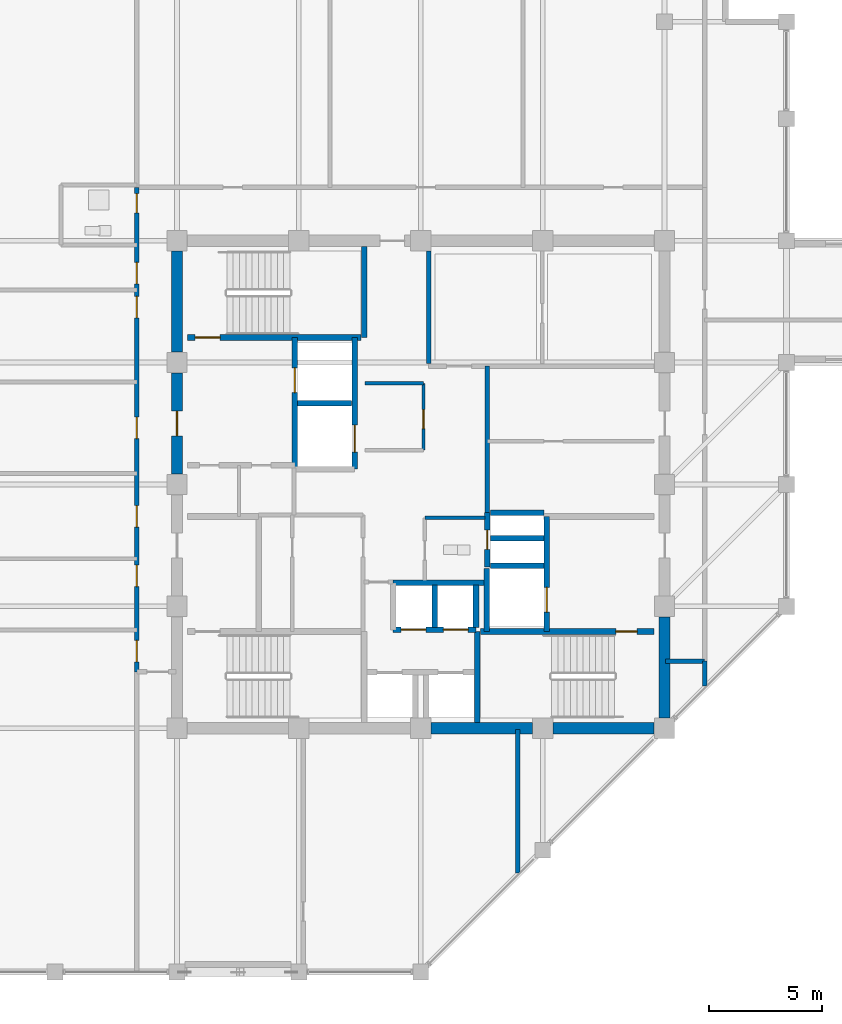
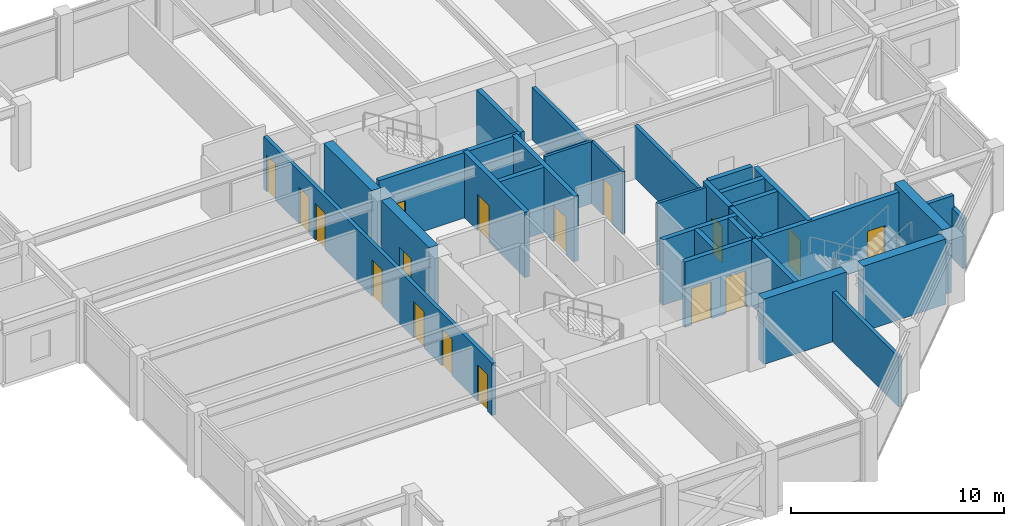
# One storey, part 26 of 31: 31 walls, 17 doors, 17 openings.
"""IFC4 building model written with IfcOpenShell, lengths in metres."""

from ifc_helpers import new_model, si_unit, direction, frame, frame_2d, origin, place, context, subcontext, project, spatial, rectangle, extrude, material, layer, layer_set, type_object, element, fill, save


model = new_model("IFC4")

# Units and contexts
model_context = context("Model", 3, precision=1e-05, world=origin(), true_north=direction((0.0, 1.0)))
body_context = subcontext(model_context, "Body", "Model", "MODEL_VIEW")
ifc_project = project(units=[si_unit("LENGTHUNIT", "METRE"), si_unit("AREAUNIT", "SQUARE_METRE"), si_unit("VOLUMEUNIT", "CUBIC_METRE"), si_unit("PLANEANGLEUNIT", "RADIAN"), si_unit("MASSUNIT", "GRAM", prefix="KILO")], contexts=[model_context])

# Site, building, storey
site_placement = place(None, origin())
site = spatial("IfcSite", under=ifc_project, at=site_placement, CompositionType="ELEMENT")
building_placement = place(site_placement, origin())
building = spatial("IfcBuilding", under=site, at=building_placement, Name="Surkhivell Harbour Commons", CompositionType="ELEMENT")
storey_placement = place(building_placement, frame((0.0, 0.0, 266.25)))
storey = spatial("IfcBuildingStorey", under=building, at=storey_placement, Name="L69", CompositionType="ELEMENT", Elevation=266.25)

# Walls
ifc_material_1 = material(Name="Concrete C50/60", Category="concrete")
ifc_layer_1 = layer(ifc_material_1, 0.5)
ifc_layer_set_1 = layer_set([ifc_layer_1], Name="Concrete C50/60")
wall_type_1 = type_object("IfcWallType", Name="WAL-CORE-500", PredefinedType="SHEAR", material=ifc_layer_set_1)
for number, where, z_axis, x_axis, name in (
    (1, (10.800048828125, -10.340087890625, 0.0), (0.0, 0.0, 1.0), (0.0, 1.0, 0.0), "L69 Core Shear Wall East 1"),
    (2, (0.4599609375, -10.800048828125, 0.0), (0.0, 0.0, 1.0), (1.0, 0.0, 0.0), "L69 Core Shear Wall South 3"),
):
    element("IfcWall", number, at=place(storey_placement, frame(where, z_axis=z_axis, x_axis=x_axis)), inside=storey, type_object=wall_type_1, Name=name, PredefinedType="SHEAR", context=body_context, shape_type="SweptSolid", body=[
        extrude(rectangle(XDim=4.47998046875, YDim=0.5, at=frame_2d((2.239990234375, 0.0))), origin(), (0.0, 0.0, 1.0), 3.75),
    ])

# Wall, opening, door
wall_1_placement = place(storey_placement, frame((-10.800048828125, 0.4599609375, 0.0), z_axis=(0.0, 0.0, 1.0), x_axis=(0.0, 1.0, 0.0)))
wall_1 = element("IfcWall", 3, at=wall_1_placement, inside=storey, type_object=wall_type_1, Name="L69 Core Shear Wall West 3", PredefinedType="SHEAR", context=body_context, shape_type="SweptSolid", body=[
    extrude(rectangle(XDim=4.47998046875, YDim=0.5, at=frame_2d((2.239990234375, 0.0))), origin(), (0.0, 0.0, 1.0), 3.75),
])
opening_1_placement = place(wall_1_placement, frame((1.68994140625, 0.0, 0.0)))
opening_1 = element("IfcOpeningElement", 4, at=opening_1_placement, cuts=wall_1, Name="Opening ID-1", PredefinedType="OPENING", context=body_context, shape_type="SweptSolid", body=[
    extrude(rectangle(XDim=1.10009765625, YDim=2.10009765625, at=frame_2d((0.550048828125, 1.050048828125))), frame((0.0, 0.260009765625, 0.0), z_axis=(0.0, -1.0, 0.0), x_axis=(1.0, 0.0, 0.0)), (0.0, 0.0, 1.0), 0.52001953125),
])
ifc_material_2 = material(Name="Hardwood-veneered fire-rated door leaf", Category="wood")
door_type_1 = type_object("IfcDoorType", Name="DOR-FD120-1100", OperationType="NOTDEFINED", PredefinedType="DOOR", material=ifc_material_2)
door_1_placement = place(opening_1_placement, origin())
door_1 = element("IfcDoor", 5, at=door_1_placement, inside=storey, type_object=door_type_1, Name="L69 Firefighting Lobby 1 Corridor Door", OperationType="SINGLE_SWING_LEFT", OverallHeight=2.10009765625, OverallWidth=1.10009765625, PredefinedType="DOOR", context=body_context, shape_type="SweptSolid", body=[
    extrude(rectangle(XDim=1.10009765625, YDim=2.10009765625, at=frame_2d((0.550048828125, 1.050048828125))), frame((0.0, 0.02490234375, 0.0), z_axis=(0.0, -1.0, 0.0), x_axis=(1.0, 0.0, 0.0)), (0.0, 0.0, 1.0), 0.050048828125),
])
fill(opening_1, door_1)

# Walls
for number, where, z_axis, x_axis, name in (
    (6, (5.860107421875, -10.800048828125, 0.0), (0.0, 0.0, 1.0), (1.0, 0.0, 0.0), "L69 Core Shear Wall South 4"),
    (7, (-10.800048828125, 5.860107421875, 0.0), (0.0, 0.0, 1.0), (0.0, 1.0, 0.0), "L69 Core Shear Wall West 4"),
):
    element("IfcWall", number, at=place(storey_placement, frame(where, z_axis=z_axis, x_axis=x_axis)), inside=storey, type_object=wall_type_1, Name=name, PredefinedType="SHEAR", context=body_context, shape_type="SweptSolid", body=[
        extrude(rectangle(XDim=4.47998046875, YDim=0.5, at=frame_2d((2.239990234375, 0.0))), origin(), (0.0, 0.0, 1.0), 3.75),
    ])
ifc_material_3 = material(Name="Twin-stud acoustic fireboard partition", Category="other")
ifc_layer_2 = layer(ifc_material_3, 0.14990234375)
ifc_layer_set_2 = layer_set([ifc_layer_2], Name="Twin-stud acoustic fireboard partition")
wall_type_2 = type_object("IfcWallType", Name="WAL-INT-150", PredefinedType="PARTITIONING", material=ifc_layer_set_2)
wall_2_placement = place(storey_placement, frame((0.179931640625, -1.47998046875, 0.0), z_axis=(0.0, 0.0, 1.0), x_axis=(1.0, 0.0, 0.0)))
element("IfcWall", 8, at=wall_2_placement, inside=storey, type_object=wall_type_2, Name="L69 Core Accessible WC North Wall", PredefinedType="PARTITIONING", context=body_context, shape_type="SweptSolid", body=[
    extrude(rectangle(XDim=2.670166015625, YDim=0.14990234375, at=frame_2d((1.3349609375, 0.0))), origin(), (0.0, 0.0, 1.0), 3.570068359375),
])

# Wall, opening, door
wall_3_placement = place(storey_placement, frame((0.1201171875, 1.52001953125, 0.0), z_axis=(0.0, 0.0, 1.0), x_axis=(0.0, 1.0, 0.0)))
wall_3 = element("IfcWall", 9, at=wall_3_placement, inside=storey, type_object=wall_type_2, Name="L69 Central Reading East Wall", PredefinedType="PARTITIONING", context=body_context, shape_type="SweptSolid", body=[
    extrude(rectangle(XDim=2.9599609375, YDim=0.14990234375, at=frame_2d((1.47998046875, 0.0))), origin(), (0.0, 0.0, 1.0), 3.570068359375),
])
opening_2_placement = place(wall_3_placement, frame((0.949951171875, 0.0, 0.0)))
opening_2 = element("IfcOpeningElement", 10, at=opening_2_placement, cuts=wall_3, Name="Opening ID-6", PredefinedType="OPENING", context=body_context, shape_type="SweptSolid", body=[
    extrude(rectangle(XDim=0.85009765625, YDim=2.10009765625, at=frame_2d((0.425048828125, 1.050048828125))), frame((0.0, 0.0849609375, 0.0), z_axis=(0.0, -1.0, 0.0), x_axis=(1.0, 0.0, 0.0)), (0.0, 0.0, 1.0), 0.169921875),
])
door_type_2 = type_object("IfcDoorType", Name="DOR-FD30-850", OperationType="NOTDEFINED", PredefinedType="DOOR", material=ifc_material_2)
door_2_placement = place(opening_2_placement, origin())
door_2 = element("IfcDoor", 11, at=door_2_placement, inside=storey, type_object=door_type_2, Name="L69 Central Core Reading Door", OperationType="SINGLE_SWING_RIGHT", OverallHeight=2.10009765625, OverallWidth=0.85009765625, PredefinedType="DOOR", context=body_context, shape_type="SweptSolid", body=[
    extrude(rectangle(XDim=0.85009765625, YDim=2.10009765625, at=frame_2d((0.425048828125, 1.050048828125))), frame((0.0, 0.02490234375, 0.0), z_axis=(0.0, -1.0, 0.0), x_axis=(1.0, 0.0, 0.0)), (0.0, 0.0, 1.0), 0.050048828125),
])
fill(opening_2, door_2)

# Walls
wall_4_placement = place(storey_placement, frame((-2.47998046875, 4.47998046875, 0.0), z_axis=(0.0, 0.0, 1.0), x_axis=(1.0, 0.0, 0.0)))
element("IfcWall", 12, at=wall_4_placement, inside=storey, type_object=wall_type_2, Name="L69 Central Reading North Wall", PredefinedType="PARTITIONING", context=body_context, shape_type="SweptSolid", body=[
    extrude(rectangle(XDim=2.60009765625, YDim=0.14990234375, at=frame_2d((1.300048828125, 0.0))), origin(), (0.0, 0.0, 1.0), 3.570068359375),
])
ifc_material_4 = material(Name="Autoclaved aerated concrete blockwork and fire plaster", Category="masonry")
ifc_layer_3 = layer(ifc_material_4, 0.199951171875)
ifc_layer_set_3 = layer_set([ifc_layer_3], Name="Autoclaved aerated concrete blockwork and fire plaster")
wall_type_3 = type_object("IfcWallType", Name="WAL-INT-200", PredefinedType="PARTITIONING", material=ifc_layer_set_3)
wall_5_placement = place(storey_placement, frame((0.35009765625, 5.360107421875, 0.0), z_axis=(0.0, 0.0, 1.0), x_axis=(0.0, 1.0, 0.0)))
element("IfcWall", 13, at=wall_5_placement, inside=storey, type_object=wall_type_3, Name="L69 Reclaimed Core North Bay West Wall", PredefinedType="PARTITIONING", context=body_context, shape_type="SweptSolid", body=[
    extrude(rectangle(XDim=4.97998046875, YDim=0.199951171875, at=frame_2d((2.489990234375, 0.0))), origin(), (0.0, 0.0, 1.0), 3.012939453125),
])
wall_6_placement = place(storey_placement, frame((12.580078125, -8.93505859375, 0.0), z_axis=(0.0, 0.0, 1.0), x_axis=(0.0, 1.0, 0.0)))
element("IfcWall", 14, at=wall_6_placement, inside=storey, type_object=wall_type_3, Name="L69 East Wing South Closure Wall", PredefinedType="PARTITIONING", context=body_context, shape_type="SweptSolid", body=[
    extrude(rectangle(XDim=1.114990234375, YDim=0.199951171875, at=frame_2d((0.5576171875, 0.0))), origin(), (0.0, 0.0, 1.0), 2.85693359375),
])
wall_7_placement = place(storey_placement, frame((10.85009765625, -7.820068359375, 0.0), z_axis=(0.0, 0.0, 1.0), x_axis=(1.0, 0.0, 0.0)))
element("IfcWall", 15, at=wall_7_placement, inside=storey, type_object=wall_type_3, Name="L69 East Corridor South Closure Wall", PredefinedType="PARTITIONING", context=body_context, shape_type="SweptSolid", body=[
    extrude(rectangle(XDim=1.72998046875, YDim=0.199951171875, at=frame_2d((0.864990234375, 0.0))), origin(), (0.0, 0.0, 1.0), 3.570068359375),
])
wall_8_placement = place(storey_placement, frame((4.300048828125, -17.215087890625, 0.0), z_axis=(0.0, 0.0, 1.0), x_axis=(0.0, 1.0, 0.0)))
element("IfcWall", 16, at=wall_8_placement, inside=storey, type_object=wall_type_3, Name="L69 South Hall East Wall", PredefinedType="PARTITIONING", context=body_context, shape_type="SweptSolid", body=[
    extrude(rectangle(XDim=6.364990234375, YDim=0.199951171875, at=frame_2d((3.1826171875, 0.0))), origin(), (0.0, 0.0, 1.0), 2.85693359375),
])

# Wall, openings, doors
wall_9_placement = place(storey_placement, frame((-12.580078125, -8.300048828125, 0.0), z_axis=(0.0, 0.0, 1.0), x_axis=(0.0, 1.0, 0.0)))
wall_9 = element("IfcWall", 17, at=wall_9_placement, inside=storey, type_object=wall_type_3, Name="L69 West Corridor Wall", PredefinedType="PARTITIONING", context=body_context, shape_type="SweptSolid", body=[
    extrude(rectangle(XDim=21.4599609375, YDim=0.199951171875, at=frame_2d((10.72998046875, 0.0))), origin(), (0.0, 0.0, 1.0), 3.012939453125),
])
opening_3_placement = place(wall_9_placement, frame((0.445068359375, 0.0, 0.0)))
opening_3 = element("IfcOpeningElement", 18, at=opening_3_placement, cuts=wall_9, Name="Opening ID-4", PredefinedType="OPENING", context=body_context, shape_type="SweptSolid", body=[
    extrude(rectangle(XDim=0.949951171875, YDim=2.10009765625, at=frame_2d((0.47509765625, 1.050048828125))), frame((0.0, 0.10986328125, 0.0), z_axis=(0.0, -1.0, 0.0), x_axis=(1.0, 0.0, 0.0)), (0.0, 0.0, 1.0), 0.219970703125),
])
opening_4_placement = place(wall_9_placement, frame((20.330078125, 0.0, 0.0)))
opening_4 = element("IfcOpeningElement", 19, at=opening_4_placement, cuts=wall_9, Name="Opening ID-6", PredefinedType="OPENING", context=body_context, shape_type="SweptSolid", body=[
    extrude(rectangle(XDim=0.85009765625, YDim=2.10009765625, at=frame_2d((0.425048828125, 1.050048828125))), frame((0.0, 0.10986328125, 0.0), z_axis=(0.0, -1.0, 0.0), x_axis=(1.0, 0.0, 0.0)), (0.0, 0.0, 1.0), 0.219970703125),
])
opening_5_placement = place(wall_9_placement, frame((17.18994140625, 0.0, 0.0)))
opening_5 = element("IfcOpeningElement", 20, at=opening_5_placement, cuts=wall_9, Name="Opening ID-4", PredefinedType="OPENING", context=body_context, shape_type="SweptSolid", body=[
    extrude(rectangle(XDim=0.949951171875, YDim=2.10009765625, at=frame_2d((0.47509765625, 1.050048828125))), frame((0.0, 0.10986328125, 0.0), z_axis=(0.0, -1.0, 0.0), x_axis=(1.0, 0.0, 0.0)), (0.0, 0.0, 1.0), 0.219970703125),
])
opening_6_placement = place(wall_9_placement, frame((3.780029296875, 0.0, 0.0)))
opening_6 = element("IfcOpeningElement", 21, at=opening_6_placement, cuts=wall_9, Name="Opening ID-4", PredefinedType="OPENING", context=body_context, shape_type="SweptSolid", body=[
    extrude(rectangle(XDim=0.949951171875, YDim=2.10009765625, at=frame_2d((0.47509765625, 1.050048828125))), frame((0.0, 0.10986328125, 0.0), z_axis=(0.0, -1.0, 0.0), x_axis=(1.0, 0.0, 0.0)), (0.0, 0.0, 1.0), 0.219970703125),
])
opening_7_placement = place(wall_9_placement, frame((6.4150390625, 0.0, 0.0)))
opening_7 = element("IfcOpeningElement", 22, at=opening_7_placement, cuts=wall_9, Name="Opening ID-4", PredefinedType="OPENING", context=body_context, shape_type="SweptSolid", body=[
    extrude(rectangle(XDim=0.949951171875, YDim=2.10009765625, at=frame_2d((0.47509765625, 1.050048828125))), frame((0.0, 0.10986328125, 0.0), z_axis=(0.0, -1.0, 0.0), x_axis=(1.0, 0.0, 0.0)), (0.0, 0.0, 1.0), 0.219970703125),
])
opening_8_placement = place(wall_9_placement, frame((10.330078125, 0.0, 0.0)))
opening_8 = element("IfcOpeningElement", 23, at=opening_8_placement, cuts=wall_9, Name="Opening ID-4", PredefinedType="OPENING", context=body_context, shape_type="SweptSolid", body=[
    extrude(rectangle(XDim=0.949951171875, YDim=2.10009765625, at=frame_2d((0.47509765625, 1.050048828125))), frame((0.0, 0.10986328125, 0.0), z_axis=(0.0, -1.0, 0.0), x_axis=(1.0, 0.0, 0.0)), (0.0, 0.0, 1.0), 0.219970703125),
])
opening_9_placement = place(wall_9_placement, frame((15.679931640625, 0.0, 0.0)))
opening_9 = element("IfcOpeningElement", 24, at=opening_9_placement, cuts=wall_9, Name="Opening ID-4", PredefinedType="OPENING", context=body_context, shape_type="SweptSolid", body=[
    extrude(rectangle(XDim=0.949951171875, YDim=2.10009765625, at=frame_2d((0.47509765625, 1.050048828125))), frame((0.0, 0.10986328125, 0.0), z_axis=(0.0, -1.0, 0.0), x_axis=(1.0, 0.0, 0.0)), (0.0, 0.0, 1.0), 0.219970703125),
])
door_3_placement = place(opening_4_placement, origin())
door_3 = element("IfcDoor", 25, at=door_3_placement, inside=storey, type_object=door_type_2, Name="L69 Communal Shower Bathroom West Door", OperationType="SINGLE_SWING_RIGHT", OverallHeight=2.10009765625, OverallWidth=0.85009765625, PredefinedType="DOOR", context=body_context, shape_type="SweptSolid", body=[
    extrude(rectangle(XDim=0.85009765625, YDim=2.10009765625, at=frame_2d((0.425048828125, 1.050048828125))), frame((0.0, 0.02490234375, 0.0), z_axis=(0.0, -1.0, 0.0), x_axis=(1.0, 0.0, 0.0)), (0.0, 0.0, 1.0), 0.050048828125),
])
fill(opening_4, door_3)
door_type_3 = type_object("IfcDoorType", Name="DOR-FD60-950", OperationType="NOTDEFINED", PredefinedType="DOOR", material=ifc_material_2)
door_4_placement = place(opening_3_placement, origin())
door_4 = element("IfcDoor", 26, at=door_4_placement, inside=storey, type_object=door_type_3, Name="L69 Shared Communal Kitchen West Door", OperationType="SINGLE_SWING_LEFT", OverallHeight=2.10009765625, OverallWidth=0.949951171875, PredefinedType="DOOR", context=body_context, shape_type="SweptSolid", body=[
    extrude(rectangle(XDim=0.949951171875, YDim=2.10009765625, at=frame_2d((0.47509765625, 1.050048828125))), frame((0.0, 0.02490234375, 0.0), z_axis=(0.0, -1.0, 0.0), x_axis=(1.0, 0.0, 0.0)), (0.0, 0.0, 1.0), 0.050048828125),
])
fill(opening_3, door_4)
door_5_placement = place(opening_5_placement, origin())
door_5 = element("IfcDoor", 27, at=door_5_placement, inside=storey, type_object=door_type_3, Name="L69 Academic Reading Commons West Door", OperationType="SINGLE_SWING_LEFT", OverallHeight=2.10009765625, OverallWidth=0.949951171875, PredefinedType="DOOR", context=body_context, shape_type="SweptSolid", body=[
    extrude(rectangle(XDim=0.949951171875, YDim=2.10009765625, at=frame_2d((0.47509765625, 1.050048828125))), frame((0.0, 0.02490234375, 0.0), z_axis=(0.0, -1.0, 0.0), x_axis=(1.0, 0.0, 0.0)), (0.0, 0.0, 1.0), 0.050048828125),
])
fill(opening_5, door_5)
door_6_placement = place(opening_6_placement, origin())
door_6 = element("IfcDoor", 28, at=door_6_placement, inside=storey, type_object=door_type_3, Name="L69 Hostel Cluster Bedroom 1 West Door", OperationType="SINGLE_SWING_RIGHT", OverallHeight=2.10009765625, OverallWidth=0.949951171875, PredefinedType="DOOR", context=body_context, shape_type="SweptSolid", body=[
    extrude(rectangle(XDim=0.949951171875, YDim=2.10009765625, at=frame_2d((0.47509765625, 1.050048828125))), frame((0.0, 0.02490234375, 0.0), z_axis=(0.0, -1.0, 0.0), x_axis=(1.0, 0.0, 0.0)), (0.0, 0.0, 1.0), 0.050048828125),
])
fill(opening_6, door_6)
door_7_placement = place(opening_7_placement, origin())
door_7 = element("IfcDoor", 29, at=door_7_placement, inside=storey, type_object=door_type_3, Name="L69 Co-Living Dormitory Bedroom 2 West Door", OperationType="SINGLE_SWING_LEFT", OverallHeight=2.10009765625, OverallWidth=0.949951171875, PredefinedType="DOOR", context=body_context, shape_type="SweptSolid", body=[
    extrude(rectangle(XDim=0.949951171875, YDim=2.10009765625, at=frame_2d((0.47509765625, 1.050048828125))), frame((0.0, 0.02490234375, 0.0), z_axis=(0.0, -1.0, 0.0), x_axis=(1.0, 0.0, 0.0)), (0.0, 0.0, 1.0), 0.050048828125),
])
fill(opening_7, door_7)
door_8_placement = place(opening_8_placement, origin())
door_8 = element("IfcDoor", 30, at=door_8_placement, inside=storey, type_object=door_type_3, Name="L69 Hostel Cluster Bedroom 3 West Door", OperationType="SINGLE_SWING_RIGHT", OverallHeight=2.10009765625, OverallWidth=0.949951171875, PredefinedType="DOOR", context=body_context, shape_type="SweptSolid", body=[
    extrude(rectangle(XDim=0.949951171875, YDim=2.10009765625, at=frame_2d((0.47509765625, 1.050048828125))), frame((0.0, 0.02490234375, 0.0), z_axis=(0.0, -1.0, 0.0), x_axis=(1.0, 0.0, 0.0)), (0.0, 0.0, 1.0), 0.050048828125),
])
fill(opening_8, door_8)
door_9_placement = place(opening_9_placement, origin())
door_9 = element("IfcDoor", 31, at=door_9_placement, inside=storey, type_object=door_type_3, Name="L69 Co-Living Dormitory Bedroom 4 West Door", OperationType="SINGLE_SWING_LEFT", OverallHeight=2.10009765625, OverallWidth=0.949951171875, PredefinedType="DOOR", context=body_context, shape_type="SweptSolid", body=[
    extrude(rectangle(XDim=0.949951171875, YDim=2.10009765625, at=frame_2d((0.47509765625, 1.050048828125))), frame((0.0, 0.02490234375, 0.0), z_axis=(0.0, -1.0, 0.0), x_axis=(1.0, 0.0, 0.0)), (0.0, 0.0, 1.0), 0.050048828125),
])
fill(opening_9, door_9)

# Wall
wall_10_placement = place(storey_placement, frame((2.949951171875, -1.25, 0.0), z_axis=(0.0, 0.0, 1.0), x_axis=(0.0, 1.0, 0.0)))
element("IfcWall", 32, at=wall_10_placement, inside=storey, type_object=wall_type_3, Name="L69 Reclaimed East Core West Wall", PredefinedType="PARTITIONING", context=body_context, shape_type="SweptSolid", body=[
    extrude(rectangle(XDim=6.489990234375, YDim=0.199951171875, at=frame_2d((3.2451171875, 0.0))), origin(), (0.0, 0.0, 1.0), 3.012939453125),
])

# Wall, opening, door
ifc_layer_4 = layer(ifc_material_1, 0.25)
ifc_layer_set_4 = layer_set([ifc_layer_4], Name="Concrete C50/60")
wall_type_4 = type_object("IfcWallType", Name="WAL-SHAFT-250", PredefinedType="SHEAR", material=ifc_layer_set_4)
wall_11_placement = place(storey_placement, frame((-5.580078125, 0.719970703125, 0.0), z_axis=(0.0, 0.0, 1.0), x_axis=(0.0, 1.0, 0.0)))
wall_11 = element("IfcWall", 33, at=wall_11_placement, inside=storey, type_object=wall_type_4, Name="L69 Firefighting Lobby 1 East Shaft Wall", PredefinedType="SHEAR", context=body_context, shape_type="SweptSolid", body=[
    extrude(rectangle(XDim=5.7900390625, YDim=0.25, at=frame_2d((2.89501953125, 0.0))), origin(), (0.0, 0.0, 1.0), 3.75),
])
opening_10_placement = place(wall_11_placement, frame((3.35009765625, 0.0, 0.0)))
opening_10 = element("IfcOpeningElement", 34, at=opening_10_placement, cuts=wall_11, Name="Opening LD-1", PredefinedType="OPENING", context=body_context, shape_type="SweptSolid", body=[
    extrude(rectangle(XDim=1.10009765625, YDim=2.10009765625, at=frame_2d((0.550048828125, 1.050048828125))), frame((0.0, 0.135009765625, 0.0), z_axis=(0.0, -1.0, 0.0), x_axis=(1.0, 0.0, 0.0)), (0.0, 0.0, 1.0), 0.27001953125),
])
ifc_material_5 = material(Name="Brushed stainless steel S355", Category="steel")
door_type_4 = type_object("IfcDoorType", Name="DOR-LD-1100", OperationType="SLIDING_TO_LEFT", PredefinedType="DOOR", material=ifc_material_5)
door_10_placement = place(opening_10_placement, origin())
door_10 = element("IfcDoor", 35, at=door_10_placement, inside=storey, type_object=door_type_4, Name="L69 Lift Landing Door LD-FFL1", OperationType="SLIDING_TO_LEFT", OverallHeight=2.10009765625, OverallWidth=1.10009765625, PredefinedType="DOOR", context=body_context, shape_type="SweptSolid", body=[
    extrude(rectangle(XDim=1.10009765625, YDim=2.10009765625, at=frame_2d((0.550048828125, 1.050048828125))), frame((0.0, 0.02490234375, 0.0), z_axis=(0.0, -1.0, 0.0), x_axis=(1.0, 0.0, 0.0)), (0.0, 0.0, 1.0), 0.050048828125),
])
fill(opening_10, door_10)

# Walls
wall_12_placement = place(storey_placement, frame((2.929931640625, -6.510009765625, 0.0), z_axis=(0.0, 0.0, 1.0), x_axis=(0.0, 1.0, 0.0)))
element("IfcWall", 36, at=wall_12_placement, inside=storey, type_object=wall_type_4, Name="L69 FFL2 West Shaft Wall", PredefinedType="SHEAR", context=body_context, shape_type="SweptSolid", body=[
    extrude(rectangle(XDim=2.7900390625, YDim=0.25, at=frame_2d((1.39501953125, 0.0))), origin(), (0.0, 0.0, 1.0), 3.75),
])
wall_13_placement = place(storey_placement, frame((3.080078125, -3.60009765625, 0.0), z_axis=(0.0, 0.0, 1.0), x_axis=(1.0, 0.0, 0.0)))
element("IfcWall", 37, at=wall_13_placement, inside=storey, type_object=wall_type_4, Name="L69 FFL2 North Shaft Wall", PredefinedType="SHEAR", context=body_context, shape_type="SweptSolid", body=[
    extrude(rectangle(XDim=2.369873046875, YDim=0.25, at=frame_2d((1.18505859375, 0.0))), origin(), (0.0, 0.0, 1.0), 3.75),
])

# Wall, opening, door
wall_14_placement = place(storey_placement, frame((5.580078125, -6.510009765625, 0.0), z_axis=(0.0, 0.0, 1.0), x_axis=(0.0, 1.0, 0.0)))
wall_14 = element("IfcWall", 38, at=wall_14_placement, inside=storey, type_object=wall_type_4, Name="L69 Firefighting Lobby 2 West Shaft Wall", PredefinedType="SHEAR", context=body_context, shape_type="SweptSolid", body=[
    extrude(rectangle(XDim=5.090087890625, YDim=0.25, at=frame_2d((2.544921875, 0.0))), origin(), (0.0, 0.0, 1.0), 3.75),
])
opening_11_placement = place(wall_14_placement, frame((0.85009765625, 0.0, 0.0)))
opening_11 = element("IfcOpeningElement", 39, at=opening_11_placement, cuts=wall_14, Name="Opening LD-1", PredefinedType="OPENING", context=body_context, shape_type="SweptSolid", body=[
    extrude(rectangle(XDim=1.10009765625, YDim=2.10009765625, at=frame_2d((0.550048828125, 1.050048828125))), frame((0.0, 0.135009765625, 0.0), z_axis=(0.0, -1.0, 0.0), x_axis=(1.0, 0.0, 0.0)), (0.0, 0.0, 1.0), 0.27001953125),
])
door_11_placement = place(opening_11_placement, origin())
door_11 = element("IfcDoor", 40, at=door_11_placement, inside=storey, type_object=door_type_4, Name="L69 Lift Landing Door LD-FFL2", OperationType="SLIDING_TO_RIGHT", OverallHeight=2.10009765625, OverallWidth=1.10009765625, PredefinedType="DOOR", context=body_context, shape_type="SweptSolid", body=[
    extrude(rectangle(XDim=1.10009765625, YDim=2.10009765625, at=frame_2d((0.550048828125, 1.050048828125))), frame((0.0, 0.02490234375, 0.0), z_axis=(0.0, -1.0, 0.0), x_axis=(1.0, 0.0, 0.0)), (0.0, 0.0, 1.0), 0.050048828125),
])
fill(opening_11, door_11)

# Walls
for number, where, z_axis, x_axis, name in (
    (41, (0.6201171875, -6.340087890625, 0.0), (0.0, 0.0, 1.0), (0.0, 1.0, 0.0), "L69 High-Rise Side Wall N"),
    (42, (2.449951171875, -6.340087890625, 0.0), (0.0, 0.0, 1.0), (0.0, 1.0, 0.0), "L69 High-Rise Side Wall N"),
):
    element("IfcWall", number, at=place(storey_placement, frame(where, z_axis=z_axis, x_axis=x_axis)), inside=storey, type_object=wall_type_4, Name=name, PredefinedType="SHEAR", context=body_context, shape_type="SweptSolid", body=[
        extrude(rectangle(XDim=1.880126953125, YDim=0.25, at=frame_2d((0.93994140625, 0.0))), origin(), (0.0, 0.0, 1.0), 3.75),
    ])

# Wall, openings, doors
wall_15_placement = place(storey_placement, frame((-1.219970703125, -6.43994140625, 0.0), z_axis=(0.0, 0.0, 1.0), x_axis=(1.0, 0.0, 0.0)))
wall_15 = element("IfcWall", 43, at=wall_15_placement, inside=storey, type_object=wall_type_4, Name="L69 High-Rise North Front Shaft Wall", PredefinedType="SHEAR", context=body_context, shape_type="SweptSolid", body=[
    extrude(rectangle(XDim=3.669921875, YDim=0.25, at=frame_2d((1.8349609375, 0.0))), origin(), (0.0, 0.0, 1.0), 3.75),
])
opening_12_placement = place(wall_15_placement, frame((0.35009765625, 0.0, 0.0)))
opening_12 = element("IfcOpeningElement", 44, at=opening_12_placement, cuts=wall_15, Name="Opening LD-1", PredefinedType="OPENING", context=body_context, shape_type="SweptSolid", body=[
    extrude(rectangle(XDim=1.10009765625, YDim=2.10009765625, at=frame_2d((0.550048828125, 1.050048828125))), frame((0.0, 0.135009765625, 0.0), z_axis=(0.0, -1.0, 0.0), x_axis=(1.0, 0.0, 0.0)), (0.0, 0.0, 1.0), 0.27001953125),
])
opening_13_placement = place(wall_15_placement, frame((2.219970703125, 0.0, 0.0)))
opening_13 = element("IfcOpeningElement", 45, at=opening_13_placement, cuts=wall_15, Name="Opening LD-1", PredefinedType="OPENING", context=body_context, shape_type="SweptSolid", body=[
    extrude(rectangle(XDim=1.10009765625, YDim=2.10009765625, at=frame_2d((0.550048828125, 1.050048828125))), frame((0.0, 0.135009765625, 0.0), z_axis=(0.0, -1.0, 0.0), x_axis=(1.0, 0.0, 0.0)), (0.0, 0.0, 1.0), 0.27001953125),
])
door_12_placement = place(opening_12_placement, origin())
door_12 = element("IfcDoor", 46, at=door_12_placement, inside=storey, type_object=door_type_4, Name="L69 Lift Landing Door LD-PH1", OperationType="SLIDING_TO_LEFT", OverallHeight=2.10009765625, OverallWidth=1.10009765625, PredefinedType="DOOR", context=body_context, shape_type="SweptSolid", body=[
    extrude(rectangle(XDim=1.10009765625, YDim=2.10009765625, at=frame_2d((0.550048828125, 1.050048828125))), frame((0.0, 0.02490234375, 0.0), z_axis=(0.0, -1.0, 0.0), x_axis=(1.0, 0.0, 0.0)), (0.0, 0.0, 1.0), 0.050048828125),
])
fill(opening_12, door_12)
door_13_placement = place(opening_13_placement, origin())
door_13 = element("IfcDoor", 47, at=door_13_placement, inside=storey, type_object=door_type_4, Name="L69 Lift Landing Door LD-PH2", OperationType="SLIDING_TO_LEFT", OverallHeight=2.10009765625, OverallWidth=1.10009765625, PredefinedType="DOOR", context=body_context, shape_type="SweptSolid", body=[
    extrude(rectangle(XDim=1.10009765625, YDim=2.10009765625, at=frame_2d((0.550048828125, 1.050048828125))), frame((0.0, 0.02490234375, 0.0), z_axis=(0.0, -1.0, 0.0), x_axis=(1.0, 0.0, 0.0)), (0.0, 0.0, 1.0), 0.050048828125),
])
fill(opening_13, door_13)

# Walls
wall_16_placement = place(storey_placement, frame((-1.219970703125, -4.360107421875, 0.0), z_axis=(0.0, 0.0, 1.0), x_axis=(1.0, 0.0, 0.0)))
element("IfcWall", 48, at=wall_16_placement, inside=storey, type_object=wall_type_4, Name="L69 High-Rise North Back Shaft Wall", PredefinedType="SHEAR", context=body_context, shape_type="SweptSolid", body=[
    extrude(rectangle(XDim=4.030029296875, YDim=0.25, at=frame_2d((2.01513671875, 0.0))), origin(), (0.0, 0.0, 1.0), 3.75),
])
for number, where, z_axis, x_axis, name in (
    (49, (3.080078125, -2.3798828125, 0.0), (0.0, 0.0, 1.0), (1.0, 0.0, 0.0), "L69 Riser Divider Wall"),
    (50, (3.080078125, -1.25, 0.0), (0.0, 0.0, 1.0), (1.0, 0.0, 0.0), "L69 Riser North Wall"),
):
    element("IfcWall", number, at=place(storey_placement, frame(where, z_axis=z_axis, x_axis=x_axis)), inside=storey, type_object=wall_type_4, Name=name, PredefinedType="SHEAR", context=body_context, shape_type="SweptSolid", body=[
        extrude(rectangle(XDim=2.369873046875, YDim=0.25, at=frame_2d((1.18505859375, 0.0))), origin(), (0.0, 0.0, 1.0), 3.75),
    ])

# Wall, opening, door
wall_17_placement = place(storey_placement, frame((2.949951171875, -3.64990234375, 0.0), z_axis=(0.0, 0.0, 1.0), x_axis=(0.0, 1.0, 0.0)))
wall_17 = element("IfcWall", 51, at=wall_17_placement, inside=storey, type_object=wall_type_4, Name="L69 Riser Shaft West Wall", PredefinedType="SHEAR", context=body_context, shape_type="SweptSolid", body=[
    extrude(rectangle(XDim=2.39990234375, YDim=0.25, at=frame_2d((1.199951171875, 0.0))), origin(), (0.0, 0.0, 1.0), 3.75),
])
opening_14_placement = place(wall_17_placement, frame((0.77490234375, 0.0, 0.0)))
opening_14 = element("IfcOpeningElement", 52, at=opening_14_placement, cuts=wall_17, Name="Opening ID-6", PredefinedType="OPENING", context=body_context, shape_type="SweptSolid", body=[
    extrude(rectangle(XDim=0.85009765625, YDim=2.10009765625, at=frame_2d((0.425048828125, 1.050048828125))), frame((0.0, 0.135009765625, 0.0), z_axis=(0.0, -1.0, 0.0), x_axis=(1.0, 0.0, 0.0)), (0.0, 0.0, 1.0), 0.27001953125),
])
door_14_placement = place(opening_14_placement, origin())
door_14 = element("IfcDoor", 53, at=door_14_placement, inside=storey, type_object=door_type_2, Name="L69 Electrical Riser Access Door", OperationType="SINGLE_SWING_LEFT", OverallHeight=2.10009765625, OverallWidth=0.85009765625, PredefinedType="DOOR", context=body_context, shape_type="SweptSolid", body=[
    extrude(rectangle(XDim=0.85009765625, YDim=2.10009765625, at=frame_2d((0.425048828125, 1.050048828125))), frame((0.0, 0.02490234375, 0.0), z_axis=(0.0, -1.0, 0.0), x_axis=(1.0, 0.0, 0.0)), (0.0, 0.0, 1.0), 0.050048828125),
])
fill(opening_14, door_14)

# Wall
wall_18_placement = place(storey_placement, frame((-2.510009765625, 6.510009765625, 0.0), z_axis=(0.0, 0.0, 1.0), x_axis=(0.0, 1.0, 0.0)))
element("IfcWall", 54, at=wall_18_placement, inside=storey, type_object=wall_type_4, Name="L69 Stair ST1 East Shear Wall", PredefinedType="SHEAR", context=body_context, shape_type="SweptSolid", body=[
    extrude(rectangle(XDim=4.0400390625, YDim=0.25, at=frame_2d((2.02001953125, 0.0))), origin(), (0.0, 0.0, 1.0), 3.75),
])

# Wall, opening, door
wall_19_placement = place(storey_placement, frame((-10.340087890625, 6.510009765625, 0.0), z_axis=(0.0, 0.0, 1.0), x_axis=(1.0, 0.0, 0.0)))
wall_19 = element("IfcWall", 55, at=wall_19_placement, inside=storey, type_object=wall_type_4, Name="L69 Stair ST1 South Shear Wall", PredefinedType="SHEAR", context=body_context, shape_type="SweptSolid", body=[
    extrude(rectangle(XDim=7.7001953125, YDim=0.25, at=frame_2d((3.85009765625, 0.0))), origin(), (0.0, 0.0, 1.0), 3.75),
])
opening_15_placement = place(wall_19_placement, frame((0.35009765625, 0.0, 0.0)))
opening_15 = element("IfcOpeningElement", 56, at=opening_15_placement, cuts=wall_19, Name="Opening ID-2", PredefinedType="OPENING", context=body_context, shape_type="SweptSolid", body=[
    extrude(rectangle(XDim=1.10009765625, YDim=2.10009765625, at=frame_2d((0.550048828125, 1.050048828125))), frame((0.0, 0.135009765625, 0.0), z_axis=(0.0, -1.0, 0.0), x_axis=(1.0, 0.0, 0.0)), (0.0, 0.0, 1.0), 0.27001953125),
])
door_type_5 = type_object("IfcDoorType", Name="DOR-FD60-1100", OperationType="NOTDEFINED", PredefinedType="DOOR", material=ifc_material_2)
door_15_placement = place(opening_15_placement, origin())
door_15 = element("IfcDoor", 57, at=door_15_placement, inside=storey, type_object=door_type_5, Name="L69 Stair ST1 Exit Door", OperationType="SINGLE_SWING_LEFT", OverallHeight=2.10009765625, OverallWidth=1.10009765625, PredefinedType="DOOR", context=body_context, shape_type="SweptSolid", body=[
    extrude(rectangle(XDim=1.10009765625, YDim=2.10009765625, at=frame_2d((0.550048828125, 1.050048828125))), frame((0.0, 0.02490234375, 0.0), z_axis=(0.0, -1.0, 0.0), x_axis=(1.0, 0.0, 0.0)), (0.0, 0.0, 1.0), 0.050048828125),
])
fill(opening_15, door_15)

wall_20_placement = place(storey_placement, frame((2.639892578125, -6.510009765625, 0.0), z_axis=(0.0, 0.0, 1.0), x_axis=(1.0, 0.0, 0.0)))
wall_20 = element("IfcWall", 58, at=wall_20_placement, inside=storey, type_object=wall_type_4, Name="L69 Stair ST2 North Shear Wall", PredefinedType="SHEAR", context=body_context, shape_type="SweptSolid", body=[
    extrude(rectangle(XDim=7.7001953125, YDim=0.25, at=frame_2d((3.85009765625, 0.0))), origin(), (0.0, 0.0, 1.0), 3.75),
])
opening_16_placement = place(wall_20_placement, frame((6.0, 0.0, 0.0)))
opening_16 = element("IfcOpeningElement", 59, at=opening_16_placement, cuts=wall_20, Name="Opening ID-4", PredefinedType="OPENING", context=body_context, shape_type="SweptSolid", body=[
    extrude(rectangle(XDim=0.949951171875, YDim=2.10009765625, at=frame_2d((0.47509765625, 1.050048828125))), frame((0.0, 0.135009765625, 0.0), z_axis=(0.0, -1.0, 0.0), x_axis=(1.0, 0.0, 0.0)), (0.0, 0.0, 1.0), 0.27001953125),
])
door_16_placement = place(opening_16_placement, origin())
door_16 = element("IfcDoor", 60, at=door_16_placement, inside=storey, type_object=door_type_3, Name="L69 Stair ST2 Exit Door", OperationType="SINGLE_SWING_RIGHT", OverallHeight=2.10009765625, OverallWidth=0.949951171875, PredefinedType="DOOR", context=body_context, shape_type="SweptSolid", body=[
    extrude(rectangle(XDim=0.949951171875, YDim=2.10009765625, at=frame_2d((0.47509765625, 1.050048828125))), frame((0.0, 0.02490234375, 0.0), z_axis=(0.0, -1.0, 0.0), x_axis=(1.0, 0.0, 0.0)), (0.0, 0.0, 1.0), 0.050048828125),
])
fill(opening_16, door_16)

# Wall
wall_21_placement = place(storey_placement, frame((2.510009765625, -10.550048828125, 0.0), z_axis=(0.0, 0.0, 1.0), x_axis=(0.0, 1.0, 0.0)))
element("IfcWall", 61, at=wall_21_placement, inside=storey, type_object=wall_type_4, Name="L69 Stair ST2 West Shear Wall", PredefinedType="SHEAR", context=body_context, shape_type="SweptSolid", body=[
    extrude(rectangle(XDim=4.0400390625, YDim=0.25, at=frame_2d((2.02001953125, 0.0))), origin(), (0.0, 0.0, 1.0), 3.75),
])

# Wall, opening, door
wall_22_placement = place(storey_placement, frame((-2.929931640625, 0.679931640625, 0.0), z_axis=(0.0, 0.0, 1.0), x_axis=(0.0, 1.0, 0.0)))
wall_22 = element("IfcWall", 62, at=wall_22_placement, inside=storey, type_object=wall_type_4, Name="L69 Service and Fire Lift East Shaft Wall", PredefinedType="SHEAR", context=body_context, shape_type="SweptSolid", body=[
    extrude(rectangle(XDim=5.830078125, YDim=0.25, at=frame_2d((2.9150390625, 0.0))), origin(), (0.0, 0.0, 1.0), 3.75),
])
opening_17_placement = place(wall_22_placement, frame((0.75, 0.0, 0.0)))
opening_17 = element("IfcOpeningElement", 63, at=opening_17_placement, cuts=wall_22, Name="Opening LD-2", PredefinedType="OPENING", context=body_context, shape_type="SweptSolid", body=[
    extrude(rectangle(XDim=1.199951171875, YDim=2.10009765625, at=frame_2d((0.60009765625, 1.050048828125))), frame((0.0, 0.135009765625, 0.0), z_axis=(0.0, -1.0, 0.0), x_axis=(1.0, 0.0, 0.0)), (0.0, 0.0, 1.0), 0.27001953125),
])
door_type_6 = type_object("IfcDoorType", Name="DOR-LD-1200", OperationType="SLIDING_TO_LEFT", PredefinedType="DOOR", material=ifc_material_5)
door_17_placement = place(opening_17_placement, origin())
door_17 = element("IfcDoor", 64, at=door_17_placement, inside=storey, type_object=door_type_6, Name="L69 Lift Landing Door LD-SVL1", OperationType="SLIDING_TO_LEFT", OverallHeight=2.10009765625, OverallWidth=1.199951171875, PredefinedType="DOOR", context=body_context, shape_type="SweptSolid", body=[
    extrude(rectangle(XDim=1.199951171875, YDim=2.10009765625, at=frame_2d((0.60009765625, 1.050048828125))), frame((0.0, 0.02490234375, 0.0), z_axis=(0.0, -1.0, 0.0), x_axis=(1.0, 0.0, 0.0)), (0.0, 0.0, 1.0), 0.050048828125),
])
fill(opening_17, door_17)

# Wall
wall_23_placement = place(storey_placement, frame((-5.449951171875, 3.60009765625, 0.0), z_axis=(0.0, 0.0, 1.0), x_axis=(1.0, 0.0, 0.0)))
element("IfcWall", 65, at=wall_23_placement, inside=storey, type_object=wall_type_4, Name="L69 FFL1/SVL1 Shaft Divider", PredefinedType="SHEAR", context=body_context, shape_type="SweptSolid", body=[
    extrude(rectangle(XDim=2.389892578125, YDim=0.25, at=frame_2d((1.19482421875, 0.0))), origin(), (0.0, 0.0, 1.0), 3.75),
])

save(model, "model.ifc")
